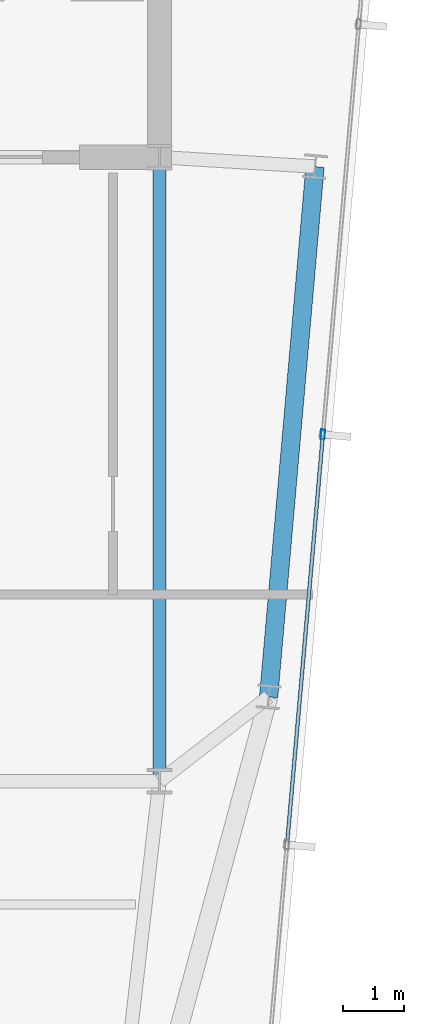
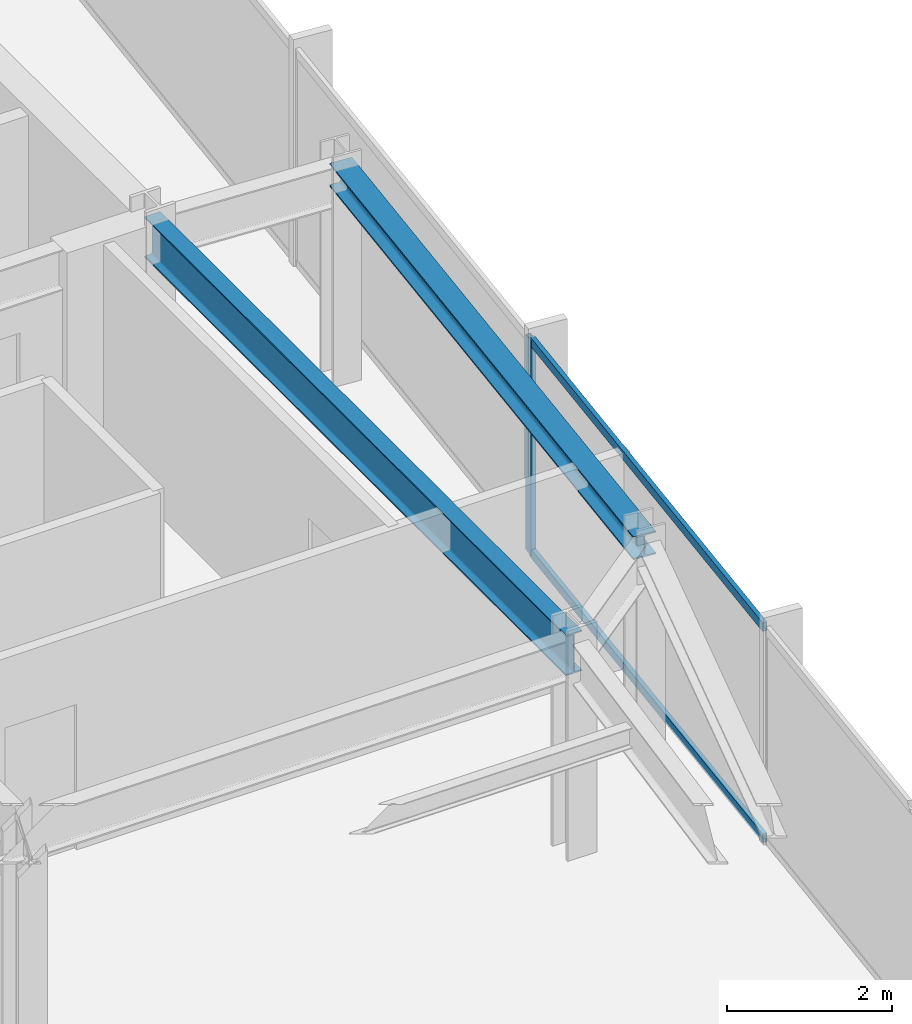
# One storey, part 17 of 32: 3 members, 2 beams, 1 element without a shape of its own.
"""IFC4 building model written with IfcOpenShell, lengths in metres."""

from ifc_helpers import new_model, si_unit, direction, frame, origin, origin_2d, place, context, subcontext, project, spatial, hollow_rectangle, i_section, extrude, material, material_profile, profile_set, type_object, element, aggregate, save


model = new_model("IFC4")

# Units and contexts
model_context = context("Model", 3, precision=1e-05, world=origin(), true_north=direction((0.0, 1.0)))
body_context = subcontext(model_context, "Body", "Model", "MODEL_VIEW")
ifc_project = project(units=[si_unit("LENGTHUNIT", "METRE"), si_unit("AREAUNIT", "SQUARE_METRE"), si_unit("VOLUMEUNIT", "CUBIC_METRE"), si_unit("PLANEANGLEUNIT", "RADIAN"), si_unit("MASSUNIT", "GRAM", prefix="KILO")], contexts=[model_context])

# Site, building, storey
site_placement = place(None, origin())
site = spatial("IfcSite", under=ifc_project, at=site_placement, CompositionType="ELEMENT")
building_placement = place(site_placement, origin())
building = spatial("IfcBuilding", under=site, at=building_placement, Name="Yelkora Congress Tower", CompositionType="ELEMENT")
storey_placement = place(building_placement, frame((0.0, 0.0, 265.89990234375)))
storey = spatial("IfcBuildingStorey", under=building, at=storey_placement, Name="L74", CompositionType="ELEMENT", Elevation=265.89990234375)

# Beams
ifc_material_1 = material(Name="Steel S355J2", Category="steel")
ifc_material_profile_1 = material_profile(ifc_material_1, i_section(OverallWidth=0.219970703125, OverallDepth=0.60009765625, WebThickness=0.011962890625, FlangeThickness=0.01904296875, FilletRadius=0.02392578125, at=origin_2d()), Name="IPE 600")
ifc_profile_set_1 = profile_set([ifc_material_profile_1], Name="Steel S355J2")
beam_type_1 = type_object("IfcBeamType", Name="BM-GIRD-IPE600", PredefinedType="BEAM", material=ifc_profile_set_1)
beam_1_placement = place(storey_placement, frame((53.760009765625, 25.199951171875, 2.880126953125), z_axis=(0.0, 1.0, 0.0), x_axis=(-1.0, 0.0, 0.0)))
element("IfcBeam", 1, at=beam_1_placement, inside=storey, type_object=beam_type_1, Name="L74 Core Tie Girder MC-D5", PredefinedType="BEAM", context=body_context, shape_type="SweptSolid", body=[
    extrude(i_section(OverallWidth=0.219970703125, OverallDepth=0.60009765625, WebThickness=0.011962890625, FlangeThickness=0.01904296875, FilletRadius=0.02392578125, at=origin_2d()), origin(), (0.0, 0.0, 1.0), 10.199951171875),
])
ifc_material_profile_2 = material_profile(ifc_material_1, i_section(OverallWidth=0.300048828125, OverallDepth=0.340087890625, WebThickness=0.011962890625, FlangeThickness=0.021484375, FilletRadius=0.027099609375, at=origin_2d()), Name="HEB 340")
ifc_profile_set_2 = profile_set([ifc_material_profile_2], Name="Steel S355J2")
beam_type_2 = type_object("IfcBeamType", Name="BM-SPAN-HEB340", PredefinedType="SPANDREL", material=ifc_profile_set_2)
beam_2_placement = place(storey_placement, frame((55.543701171875, 26.57861328125, 3.010009765625), z_axis=(0.08715998813, 0.99619432666, 0.0), x_axis=(-0.99619432666, 0.08715998813, 0.0)))
element("IfcBeam", 2, at=beam_2_placement, inside=storey, type_object=beam_type_2, Name="L74 Perimeter Beam 8", PredefinedType="SPANDREL", context=body_context, shape_type="SweptSolid", body=[
    extrude(i_section(OverallWidth=0.300048828125, OverallDepth=0.340087890625, WebThickness=0.011962890625, FlangeThickness=0.021484375, FilletRadius=0.027099609375, at=origin_2d()), origin(), (0.0, 0.0, 1.0), 8.7001953125),
])

# Curtain wall, members
ifc_material_2 = material(Name="Anodised aluminium and insulated glass", Category="aluminium")
curtain_wall_type = type_object("IfcCurtainWallType", Name="CW-SYS-B5", PredefinedType="NOTDEFINED", material=ifc_material_2)
curtain_wall_placement = place(storey_placement, origin())
curtain_wall = element("IfcCurtainWall", 3, at=curtain_wall_placement, inside=storey, type_object=curtain_wall_type, Name="L74 Unitised Curtain Wall 15", PredefinedType="NOTDEFINED")
ifc_material_3 = material(Name="Anodised aluminium 6063-T6", Category="aluminium")
ifc_material_profile_3 = material_profile(ifc_material_3, hollow_rectangle(XDim=0.06494140625, YDim=0.159912109375, WallThickness=0.00390625, at=origin_2d()), Name="ALU 65x160x4")
ifc_profile_set_3 = profile_set([ifc_material_profile_3], Name="Anodised aluminium 6063-T6")
member_type_1 = type_object("IfcMemberType", Name="MEM-ML-B5", PredefinedType="MULLION", material=ifc_profile_set_3)
member_1_placement = place(storey_placement, frame((56.430908203125, 30.867431640625, 0.0), z_axis=(0.0, 0.0, 1.0), x_axis=(0.996194463398, -0.087158425264, 0.0)))
member_1 = element("IfcMember", 4, at=member_1_placement, type_object=member_type_1, Name="CW-B5 mullion 3", PredefinedType="MULLION", context=body_context, shape_type="SweptSolid", body=[
    extrude(hollow_rectangle(XDim=0.06494140625, YDim=0.159912109375, WallThickness=0.00390625, at=origin_2d()), origin(), (0.0, 0.0, 1.0), 3.18017578125),
])
ifc_material_profile_4 = material_profile(ifc_material_3, hollow_rectangle(XDim=0.06005859375, YDim=0.1298828125, WallThickness=0.00390625, at=origin_2d()), Name="ALU 60x130x4")
ifc_profile_set_4 = profile_set([ifc_material_profile_4], Name="Anodised aluminium 6063-T6")
member_type_2 = type_object("IfcMemberType", Name="MEM-TR-B5", PredefinedType="USERDEFINED", material=ifc_profile_set_4)
member_2_placement = place(storey_placement, frame((56.42822265625, 30.835205078125, 0.030029296875), z_axis=(-0.087179673403, -0.996192604141, 0.0), x_axis=(0.996192604141, -0.087179673403, 0.0)))
member_2 = element("IfcMember", 5, at=member_2_placement, type_object=member_type_2, Name="CW-B5 transom 3.1", ObjectType="TRANSOM", PredefinedType="USERDEFINED", context=body_context, shape_type="SweptSolid", body=[
    extrude(hollow_rectangle(XDim=0.06005859375, YDim=0.1298828125, WallThickness=0.00390625, at=origin_2d()), origin(), (0.0, 0.0, 1.0), 6.6650390625),
])
member_3_placement = place(storey_placement, frame((56.42822265625, 30.835205078125, 3.150146484375), z_axis=(-0.087179673403, -0.996192604141, 0.0), x_axis=(0.996192604141, -0.087179673403, 0.0)))
member_3 = element("IfcMember", 6, at=member_3_placement, type_object=member_type_2, Name="CW-B5 transom 3.2", ObjectType="TRANSOM", PredefinedType="USERDEFINED", context=body_context, shape_type="SweptSolid", body=[
    extrude(hollow_rectangle(XDim=0.06005859375, YDim=0.1298828125, WallThickness=0.00390625, at=origin_2d()), origin(), (0.0, 0.0, 1.0), 6.6650390625),
])
aggregate(curtain_wall, [member_1, member_2, member_3])

save(model, "model.ifc")
